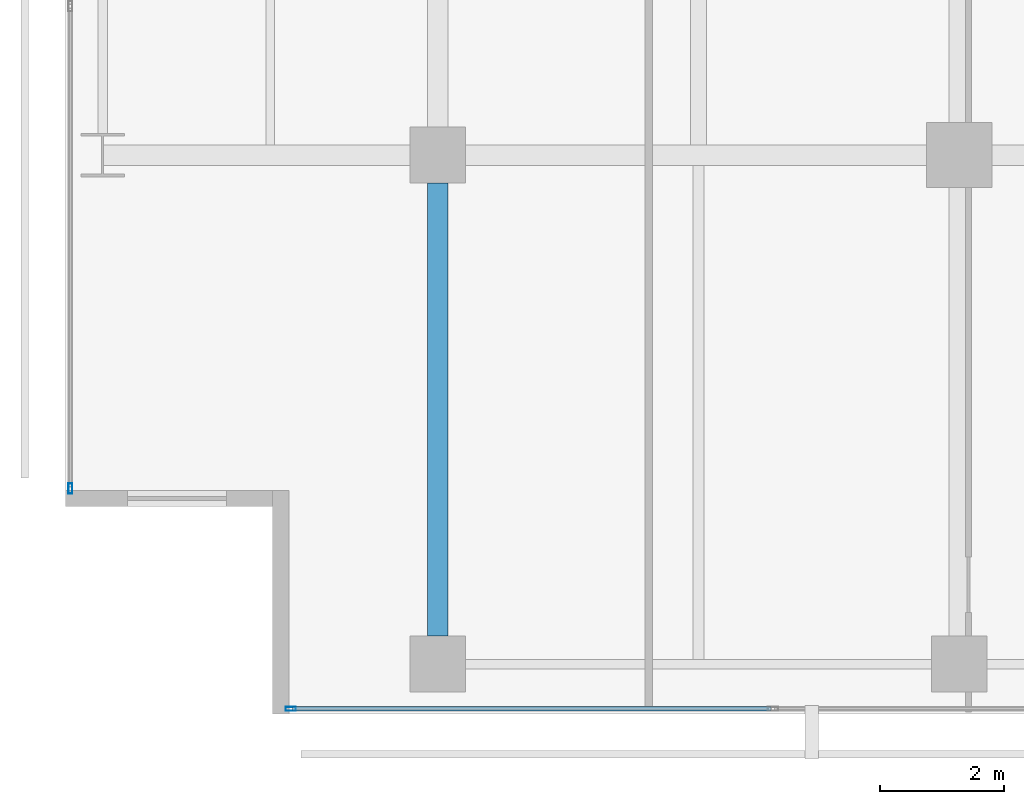
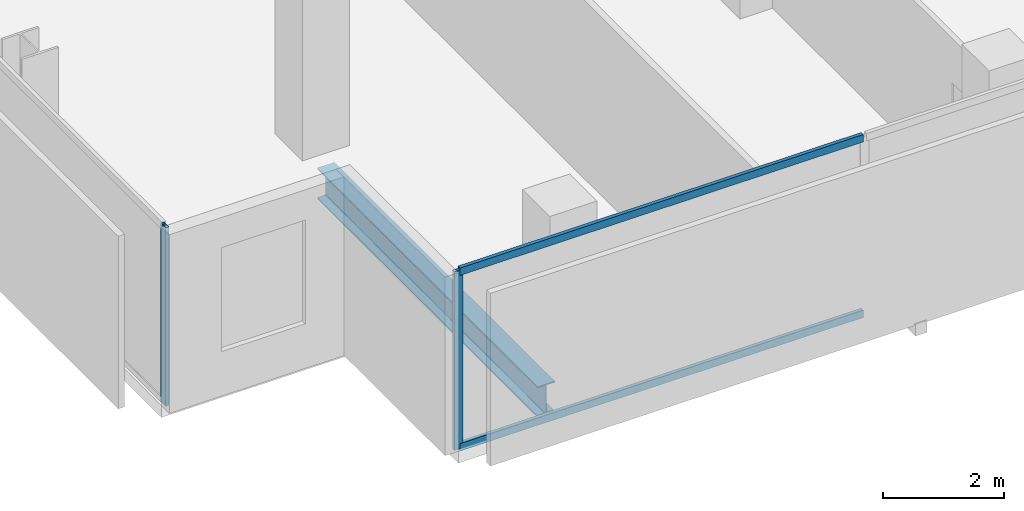
# One storey, part 2 of 40: 4 members, 1 beam, 2 elements without a shape of their own.
"""IFC4 building model written with IfcOpenShell, lengths in metres."""

from ifc_helpers import new_model, si_unit, direction, frame, origin, origin_2d, place, context, subcontext, project, spatial, hollow_rectangle, i_section, extrude, material, layer, layer_set, material_profile, profile_set, type_object, element, aggregate, save


model = new_model("IFC4")

# Units and contexts
model_context = context("Model", 3, precision=1e-05, world=origin(), true_north=direction((0.0, 1.0)))
body_context = subcontext(model_context, "Body", "Model", "MODEL_VIEW")
ifc_project = project(units=[si_unit("LENGTHUNIT", "METRE"), si_unit("AREAUNIT", "SQUARE_METRE"), si_unit("VOLUMEUNIT", "CUBIC_METRE"), si_unit("PLANEANGLEUNIT", "RADIAN"), si_unit("MASSUNIT", "GRAM", prefix="KILO")], contexts=[model_context])

# Site, building, storey
site_placement = place(None, origin())
site = spatial("IfcSite", under=ifc_project, at=site_placement, CompositionType="ELEMENT")
building_placement = place(site_placement, origin())
building = spatial("IfcBuilding", under=site, at=building_placement, Name="Maruvema Waterfront Hotel and Observation Tower", CompositionType="ELEMENT")
storey_placement = place(building_placement, frame((0.0, 0.0, 73.14990234375)))
storey = spatial("IfcBuildingStorey", under=building, at=storey_placement, Name="L17", CompositionType="ELEMENT", Elevation=73.14990234375)

# Curtain wall, members
ifc_material_1 = material(Name="Anodised bronze aluminium and solar-control low-E IGU", Category="aluminium")
ifc_layer = layer(ifc_material_1, 0.159912109375, Name="Zone 1 Bronze Inner Thermal Curtain Wall System CW-02")
ifc_layer_set = layer_set([ifc_layer], Name="Anodised bronze aluminium and solar-control low-E IGU")
curtain_wall_type = type_object("IfcCurtainWallType", Name="Zone 1 Bronze Inner Thermal Curtain Wall System CW-02", PredefinedType="USERDEFINED", material=ifc_layer_set)
curtain_wall_1_placement = place(storey_placement, origin())
curtain_wall_1 = element("IfcCurtainWall", 1, at=curtain_wall_1_placement, inside=storey, type_object=curtain_wall_type, Name="L17 Curtain Wall CW-L17-S", ObjectType="UNITISED CURTAIN WALL", PredefinedType="USERDEFINED")
ifc_material_2 = material(Name="Anodised architectural bronze aluminium", Category="aluminium")
ifc_material_profile_1 = material_profile(ifc_material_2, hollow_rectangle(XDim=0.070068359375, YDim=0.14990234375, WallThickness=0.00390625, at=origin_2d()), Name="ALU-T70x150")
ifc_profile_set_1 = profile_set([ifc_material_profile_1], Name="Anodised architectural bronze aluminium")
member_type_1 = type_object("IfcMemberType", Name="Curtain Wall Horizontal Transom ALU-T70x150", PredefinedType="USERDEFINED", material=ifc_profile_set_1)
member_1_placement = place(storey_placement, frame((14.4599609375, 0.080078125, 0.030029296875), z_axis=(1.0, 0.0, 0.0), x_axis=(0.0, 1.0, 0.0)))
member_1 = element("IfcMember", 2, at=member_1_placement, type_object=member_type_1, Name="CW-02 transom 1.1", ObjectType="TRANSOM", PredefinedType="USERDEFINED", context=body_context, shape_type="SweptSolid", body=[
    extrude(hollow_rectangle(XDim=0.070068359375, YDim=0.14990234375, WallThickness=0.00390625, at=origin_2d()), origin(), (0.0, 0.0, 1.0), 7.7099609375),
])
member_2_placement = place(storey_placement, frame((14.4599609375, 0.080078125, 3.580078125), z_axis=(1.0, 0.0, 0.0), x_axis=(0.0, 1.0, 0.0)))
member_2 = element("IfcMember", 3, at=member_2_placement, type_object=member_type_1, Name="CW-02 transom 1.2", ObjectType="TRANSOM", PredefinedType="USERDEFINED", context=body_context, shape_type="SweptSolid", body=[
    extrude(hollow_rectangle(XDim=0.070068359375, YDim=0.14990234375, WallThickness=0.00390625, at=origin_2d()), origin(), (0.0, 0.0, 1.0), 7.7099609375),
])
ifc_material_3 = material(Name="Anodised architectural bronze aluminium", Category="aluminium")
ifc_material_profile_2 = material_profile(ifc_material_3, hollow_rectangle(XDim=0.06494140625, YDim=0.1650390625, WallThickness=0.00390625, at=origin_2d()), Name="ALU-M65x165")
ifc_profile_set_2 = profile_set([ifc_material_profile_2], Name="Anodised architectural bronze aluminium")
member_type_2 = type_object("IfcMemberType", Name="Curtain Wall Primary Mullion ALU-M65x165", PredefinedType="MULLION", material=ifc_profile_set_2)
member_3_placement = place(storey_placement, frame((14.429931640625, 0.080078125, 0.0), z_axis=(0.0, 0.0, 1.0), x_axis=(0.0, 1.0, 0.0)))
member_3 = element("IfcMember", 4, at=member_3_placement, type_object=member_type_2, Name="CW-02 mullion 1", PredefinedType="MULLION", context=body_context, shape_type="SweptSolid", body=[
    extrude(hollow_rectangle(XDim=0.06494140625, YDim=0.1650390625, WallThickness=0.00390625, at=origin_2d()), origin(), (0.0, 0.0, 1.0), 3.610107421875),
])
aggregate(curtain_wall_1, [member_3, member_1, member_2])

# Curtain wall, member
curtain_wall_2_placement = place(storey_placement, origin())
curtain_wall_2 = element("IfcCurtainWall", 5, at=curtain_wall_2_placement, inside=storey, type_object=curtain_wall_type, Name="L17 Curtain Wall CW-L17-W", ObjectType="UNITISED CURTAIN WALL", PredefinedType="USERDEFINED")
member_4_placement = place(storey_placement, frame((10.8798828125, 3.6298828125, 0.0), z_axis=(0.0, 0.0, 1.0), x_axis=(1.0, 0.0, 0.0)))
member_4 = element("IfcMember", 6, at=member_4_placement, type_object=member_type_2, Name="CW-02 mullion 7", PredefinedType="MULLION", context=body_context, shape_type="SweptSolid", body=[
    extrude(hollow_rectangle(XDim=0.06494140625, YDim=0.1650390625, WallThickness=0.00390625, at=origin_2d()), origin(), (0.0, 0.0, 1.0), 3.610107421875),
])
aggregate(curtain_wall_2, [member_4])

# Beam
ifc_material_4 = material(Name="Steel ASTM A572 Grade 50", Category="steel")
ifc_material_profile_3 = material_profile(ifc_material_4, i_section(OverallWidth=0.326904296875, OverallDepth=0.6220703125, WebThickness=0.015380859375, FlangeThickness=0.0244140625, FilletRadius=0.01806640625, at=origin_2d()), Name="W610x195.0")
ifc_profile_set_3 = profile_set([ifc_material_profile_3], Name="Steel ASTM A572 Grade 50")
beam_type = type_object("IfcBeamType", Name="Primary Floor Girder W610x195.0", PredefinedType="BEAM", material=ifc_profile_set_3)
beam_placement = place(storey_placement, frame((16.800048828125, 1.25, -0.55078125), z_axis=(0.0, 1.0, 0.0), x_axis=(-1.0, 0.0, 0.0)))
element("IfcBeam", 7, at=beam_placement, inside=storey, type_object=beam_type, Name="L17 Floor Girder NS-05", PredefinedType="BEAM", context=body_context, shape_type="SweptSolid", body=[
    extrude(i_section(OverallWidth=0.326904296875, OverallDepth=0.6220703125, WebThickness=0.015380859375, FlangeThickness=0.0244140625, FilletRadius=0.01806640625, at=origin_2d()), origin(), (0.0, 0.0, 1.0), 7.300048828125),
])

save(model, "model.ifc")
